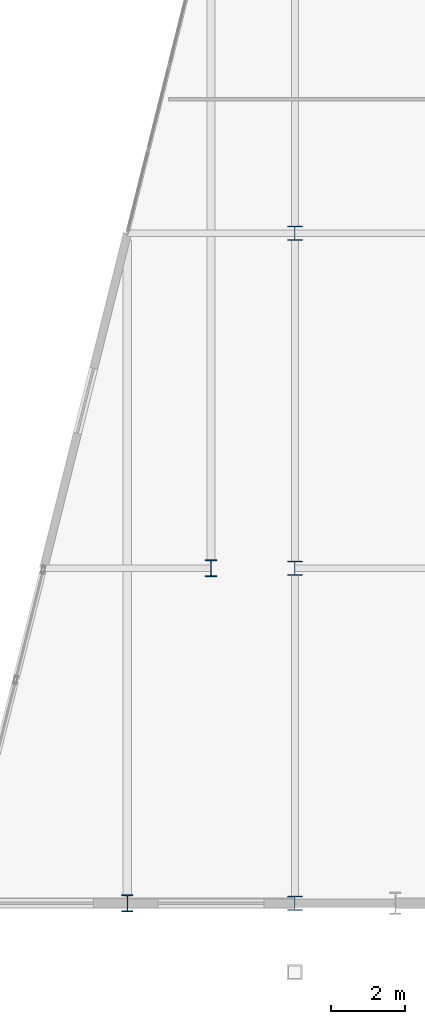
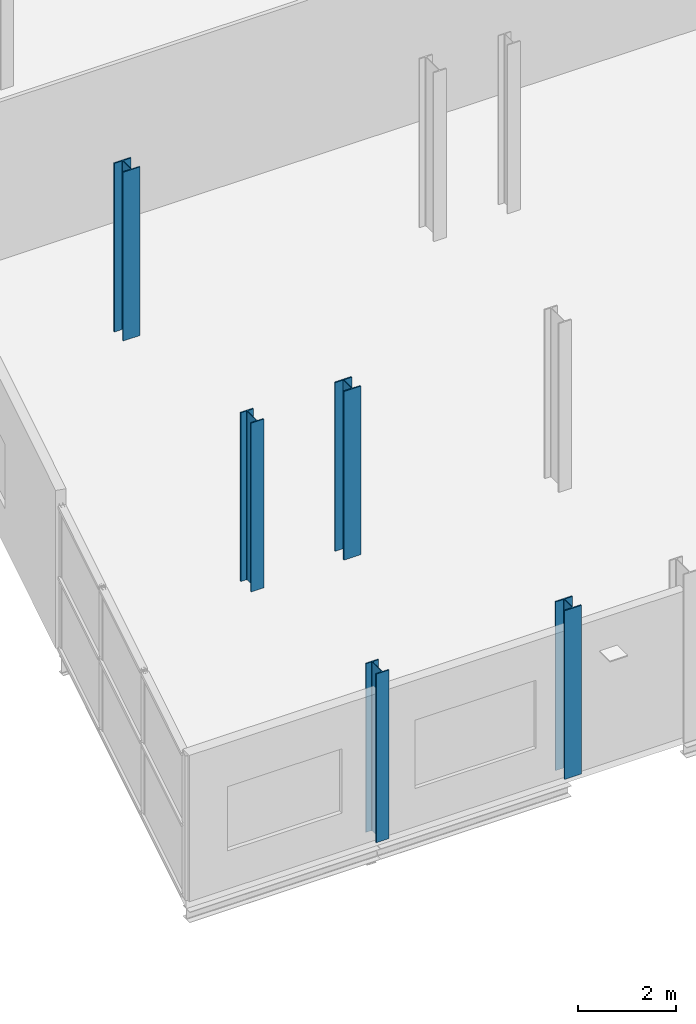
# One storey, part 4 of 132: 5 columns.
"""IFC4 building model written with IfcOpenShell, lengths in metres."""

from ifc_helpers import new_model, si_unit, direction, frame, origin, origin_2d, place, context, subcontext, project, spatial, i_section, extrude, material, material_profile, profile_set, type_object, element, save


model = new_model("IFC4")

# Units and contexts
model_context = context("Model", 3, precision=1e-05, world=origin(), true_north=direction((0.0, 1.0)))
body_context = subcontext(model_context, "Body", "Model", "MODEL_VIEW")
ifc_project = project(units=[si_unit("LENGTHUNIT", "METRE"), si_unit("AREAUNIT", "SQUARE_METRE"), si_unit("VOLUMEUNIT", "CUBIC_METRE"), si_unit("PLANEANGLEUNIT", "RADIAN"), si_unit("MASSUNIT", "GRAM", prefix="KILO")], contexts=[model_context])

# Site, building, storey
site_placement = place(None, origin())
site = spatial("IfcSite", under=ifc_project, at=site_placement, CompositionType="ELEMENT")
building_placement = place(site_placement, origin())
building = spatial("IfcBuilding", under=site, at=building_placement, Name="Deido Ridge Mobility Hub", CompositionType="ELEMENT")
storey_placement = place(building_placement, frame((0.0, 0.0, 8.39990234375)))
storey = spatial("IfcBuildingStorey", under=building, at=storey_placement, Name="L02", CompositionType="ELEMENT", Elevation=8.39990234375)

# Columns
ifc_material = material(Name="Steel S355J2 EN 10025-2", Category="steel")
ifc_material_profile_1 = material_profile(ifc_material, i_section(OverallWidth=0.39892578125, OverallDepth=0.39306640625, WebThickness=0.017578125, FlangeThickness=0.028076171875, FilletRadius=0.014892578125, at=origin_2d()), Name="HD 400x287")
ifc_profile_set_1 = profile_set([ifc_material_profile_1], Name="Steel S355J2 EN 10025-2")
column_type_1 = type_object("IfcColumnType", Name="COL-HD400-287", PredefinedType="COLUMN", material=ifc_profile_set_1)
for number, where, z_axis, x_axis, name in (
    (1, (126.0, 0.0, 0.0), (0.0, 0.0, 1.0), (1.0, 0.0, 0.0), "Structural column C2"),
    (2, (126.0, 9.0, 0.0), (0.0, 0.0, 1.0), (1.0, 0.0, 0.0), "Structural column C2"),
    (3, (126.0, 18.0, 0.0), (0.0, 0.0, 1.0), (1.0, 0.0, 0.0), "Structural column C2"),
):
    element("IfcColumn", number, at=place(storey_placement, frame(where, z_axis=z_axis, x_axis=x_axis)), inside=storey, type_object=column_type_1, Name=name, PredefinedType="COLUMN", context=body_context, shape_type="SweptSolid", body=[
        extrude(i_section(OverallWidth=0.39892578125, OverallDepth=0.39306640625, WebThickness=0.017578125, FlangeThickness=0.028076171875, FilletRadius=0.014892578125, at=origin_2d()), origin(), (0.0, 0.0, 1.0), 4.2001953125),
    ])
ifc_material_profile_2 = material_profile(ifc_material, i_section(OverallWidth=0.300048828125, OverallDepth=0.449951171875, WebThickness=0.013916015625, FlangeThickness=0.02587890625, FilletRadius=0.027099609375, at=origin_2d()), Name="HEB 450")
ifc_profile_set_2 = profile_set([ifc_material_profile_2], Name="Steel S355J2 EN 10025-2")
column_type_2 = type_object("IfcColumnType", Name="COL-HEB450", PredefinedType="COLUMN", material=ifc_profile_set_2)
for number, where, z_axis, x_axis, name in (
    (4, (121.5, 0.0, 0.0), (0.0, 0.0, 1.0), (1.0, 0.0, 0.0), "Structural column C6"),
    (5, (123.75, 9.0, 0.0), (0.0, 0.0, 1.0), (1.0, 0.0, 0.0), "Structural column C6"),
):
    element("IfcColumn", number, at=place(storey_placement, frame(where, z_axis=z_axis, x_axis=x_axis)), inside=storey, type_object=column_type_2, Name=name, PredefinedType="COLUMN", context=body_context, shape_type="SweptSolid", body=[
        extrude(i_section(OverallWidth=0.300048828125, OverallDepth=0.449951171875, WebThickness=0.013916015625, FlangeThickness=0.02587890625, FilletRadius=0.027099609375, at=origin_2d()), origin(), (0.0, 0.0, 1.0), 4.2001953125),
    ])

save(model, "model.ifc")
